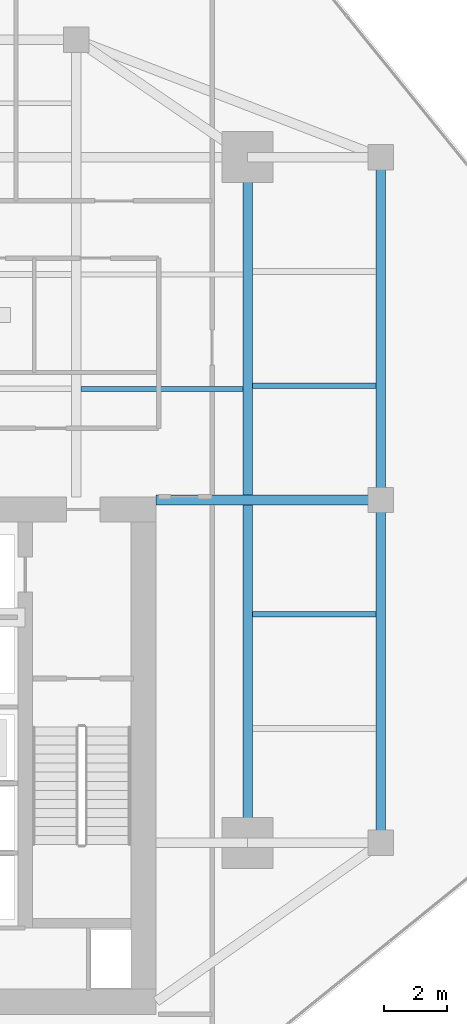
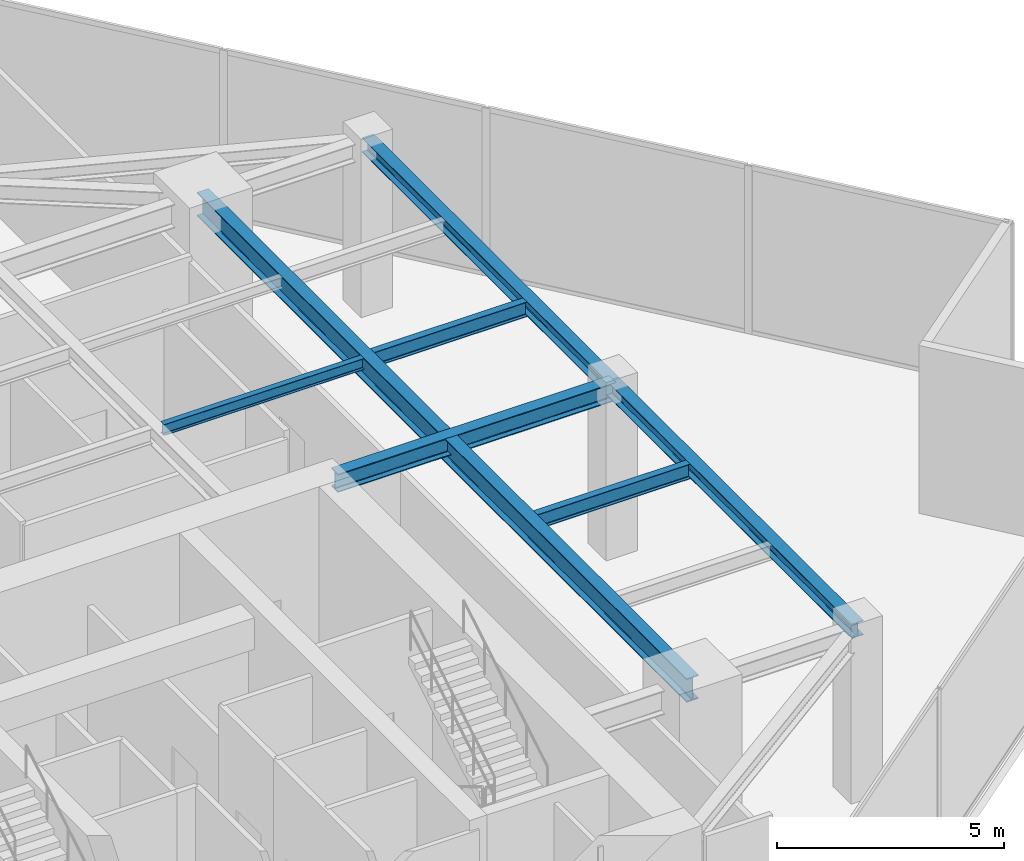
# One storey, part 9 of 22: 7 beams.
"""IFC4 building model written with IfcOpenShell, lengths in metres."""

from ifc_helpers import new_model, si_unit, direction, frame, origin, origin_2d, place, context, subcontext, project, spatial, i_section, extrude, source, transform, mapped, material, material_profile, profile_set, type_object, type_shapes, element, save


model = new_model("IFC4")

# Units and contexts
model_context = context("Model", 3, precision=1e-05, world=origin(), true_north=direction((0.0, 1.0)))
body_context = subcontext(model_context, "Body", "Model", "MODEL_VIEW")
ifc_project = project(units=[si_unit("LENGTHUNIT", "METRE"), si_unit("AREAUNIT", "SQUARE_METRE"), si_unit("VOLUMEUNIT", "CUBIC_METRE"), si_unit("PLANEANGLEUNIT", "RADIAN"), si_unit("MASSUNIT", "GRAM", prefix="KILO")], contexts=[model_context])

# Site, building, storey
site_placement = place(None, origin())
site = spatial("IfcSite", under=ifc_project, at=site_placement, CompositionType="ELEMENT")
building_placement = place(site_placement, origin())
building = spatial("IfcBuilding", under=site, at=building_placement, Name="Krantzveldt Concourse Tower", CompositionType="ELEMENT")
storey_placement = place(building_placement, frame((0.0, 0.0, 262.60009765625)))
storey = spatial("IfcBuildingStorey", under=building, at=storey_placement, Name="L64", CompositionType="ELEMENT", Elevation=262.60009765625)

# Beams
ifc_material = material(Name="Steel S355JR", Category="steel")
ifc_material_profile_1 = material_profile(ifc_material, i_section(OverallWidth=0.300048828125, OverallDepth=0.639892578125, WebThickness=0.013427734375, FlangeThickness=0.02587890625, FilletRadius=0.027099609375, at=origin_2d()), Name="Steel S355JR", Category="steel")
ifc_profile_set_1 = profile_set([ifc_material_profile_1], Name="Steel S355JR - HEA 650")
beam_type_1 = type_object("IfcBeamType", Name="BM-B-HEA650", PredefinedType="BEAM", material=ifc_profile_set_1)
shared_shape_1 = source(origin(), body_context, "Body", "SweptSolid", [
    extrude(i_section(OverallWidth=0.300048828125, OverallDepth=0.639892578125, WebThickness=0.013427734375, FlangeThickness=0.02587890625, FilletRadius=0.027099609375, at=origin_2d()), origin(), (0.0, 0.0, 1.0), 21.60009765625),
])
type_shapes(beam_type_1, [shared_shape_1])
beam_1_placement = place(storey_placement, frame((46.800048828125, 15.89990234375, 4.199951171875), z_axis=(0.0, 1.0, 0.0), x_axis=(-1.0, 0.0, 0.0)))
element("IfcBeam", 1, at=beam_1_placement, inside=storey, type_object=beam_type_1, Name="L64 Tower Girder BG-ME", PredefinedType="BEAM", context=body_context, shape_type="MappedRepresentation", body=[
    mapped(shared_shape_1, transform((0.0, 0.0, 0.0), x_axis=(1.0, 0.0, 0.0), y_axis=(0.0, 1.0, 0.0), z_axis=(0.0, 0.0, 1.0), scale=1.0)),
])
ifc_material_profile_2 = material_profile(ifc_material, i_section(OverallWidth=0.300048828125, OverallDepth=0.389892578125, WebThickness=0.010986328125, FlangeThickness=0.01904296875, FilletRadius=0.027099609375, at=origin_2d()), Name="Steel S355JR", Category="steel")
ifc_profile_set_2 = profile_set([ifc_material_profile_2], Name="Steel S355JR - HEA 400")
beam_type_2 = type_object("IfcBeamType", Name="BM-SP-HEA400", PredefinedType="SPANDREL", material=ifc_profile_set_2)
shared_shape_2 = source(origin(), body_context, "Body", "SweptSolid", [
    extrude(i_section(OverallWidth=0.300048828125, OverallDepth=0.389892578125, WebThickness=0.010986328125, FlangeThickness=0.01904296875, FilletRadius=0.027099609375, at=origin_2d()), origin(), (0.0, 0.0, 1.0), 10.800048828125),
])
type_shapes(beam_type_2, [shared_shape_2])
for number, where, z_axis, x_axis, name in (
    (2, (51.0, 37.5, 4.324951171875), (0.0, -1.0, 0.0), (1.0, 0.0, 0.0), "L64 Tower Girder SP-R06"),
    (3, (51.0, 26.699951171875, 4.324951171875), (0.0, -1.0, 0.0), (1.0, 0.0, 0.0), "L64 Tower Girder SP-R07"),
):
    element("IfcBeam", number, at=place(storey_placement, frame(where, z_axis=z_axis, x_axis=x_axis)), inside=storey, type_object=beam_type_2, Name=name, PredefinedType="SPANDREL", context=body_context, shape_type="MappedRepresentation", body=[
        mapped(shared_shape_2, transform((0.0, 0.0, 0.0), x_axis=(1.0, 0.0, 0.0), y_axis=(0.0, 1.0, 0.0), z_axis=(0.0, 0.0, 1.0), scale=1.0)),
    ])
ifc_material_profile_3 = material_profile(ifc_material, i_section(OverallWidth=0.300048828125, OverallDepth=0.489990234375, WebThickness=0.011962890625, FlangeThickness=0.02294921875, FilletRadius=0.027099609375, at=origin_2d()), Name="Steel S355JR", Category="steel")
ifc_profile_set_3 = profile_set([ifc_material_profile_3], Name="Steel S355JR - HEA 500")
beam_type_3 = type_object("IfcBeamType", Name="BM-B-HEA500", PredefinedType="BEAM", material=ifc_profile_set_3)
shared_shape_3 = source(origin(), body_context, "Body", "SweptSolid", [
    extrude(i_section(OverallWidth=0.300048828125, OverallDepth=0.489990234375, WebThickness=0.011962890625, FlangeThickness=0.02294921875, FilletRadius=0.027099609375, at=origin_2d()), origin(), (0.0, 0.0, 1.0), 7.080078125),
])
type_shapes(beam_type_3, [shared_shape_3])
beam_2_placement = place(storey_placement, frame((43.919921875, 26.699951171875, 4.27490234375), z_axis=(1.0, 0.0, 0.0), x_axis=(0.0, 1.0, 0.0)))
element("IfcBeam", 4, at=beam_2_placement, inside=storey, type_object=beam_type_3, Name="L64 Tower Girder BG-CE2", PredefinedType="BEAM", context=body_context, shape_type="MappedRepresentation", body=[
    mapped(shared_shape_3, transform((0.0, 0.0, 0.0), x_axis=(1.0, 0.0, 0.0), y_axis=(0.0, 1.0, 0.0), z_axis=(0.0, 0.0, 1.0), scale=1.0)),
])
ifc_material_profile_4 = material_profile(ifc_material, i_section(OverallWidth=0.14990234375, OverallDepth=0.300048828125, WebThickness=0.007080078125, FlangeThickness=0.0107421875, FilletRadius=0.014892578125, at=origin_2d()), Name="Steel S355JR", Category="steel")
ifc_profile_set_4 = profile_set([ifc_material_profile_4], Name="Steel S355JR - IPE 300")
beam_type_4 = type_object("IfcBeamType", Name="BM-J-IPE300", PredefinedType="JOIST", material=ifc_profile_set_4)
shared_shape_4 = source(origin(), body_context, "Body", "SweptSolid", [
    extrude(i_section(OverallWidth=0.14990234375, OverallDepth=0.300048828125, WebThickness=0.007080078125, FlangeThickness=0.0107421875, FilletRadius=0.014892578125, at=origin_2d()), origin(), (0.0, 0.0, 1.0), 5.099853515625),
])
type_shapes(beam_type_4, [shared_shape_4])
beam_3_placement = place(storey_placement, frame((41.550048828125, 30.199951171875, 4.369873046875), z_axis=(1.0, 0.0, 0.0), x_axis=(0.0, 1.0, 0.0)))
element("IfcBeam", 5, at=beam_3_placement, inside=storey, type_object=beam_type_4, Name="L64 Secondary Floor Joist JN-E1", PredefinedType="JOIST", context=body_context, shape_type="MappedRepresentation", body=[
    mapped(shared_shape_4, transform((0.0, 0.0, 0.0), x_axis=(1.0, 0.0, 0.0), y_axis=(0.0, 1.0, 0.0), z_axis=(0.0, 0.0, 1.0), scale=1.0)),
])
ifc_material_profile_5 = material_profile(ifc_material, i_section(OverallWidth=0.179931640625, OverallDepth=0.39990234375, WebThickness=0.008544921875, FlangeThickness=0.013427734375, FilletRadius=0.02099609375, at=origin_2d()), Name="Steel S355JR", Category="steel")
ifc_profile_set_5 = profile_set([ifc_material_profile_5], Name="Steel S355JR - IPE 400")
beam_type_5 = type_object("IfcBeamType", Name="BM-J-IPE400", PredefinedType="JOIST", material=ifc_profile_set_5)
shared_shape_5 = source(origin(), body_context, "Body", "SweptSolid", [
    extrude(i_section(OverallWidth=0.179931640625, OverallDepth=0.39990234375, WebThickness=0.008544921875, FlangeThickness=0.013427734375, FilletRadius=0.02099609375, at=origin_2d()), origin(), (0.0, 0.0, 1.0), 3.900146484375),
])
type_shapes(beam_type_5, [shared_shape_5])
for number, where, z_axis, x_axis, name in (
    (6, (46.949951171875, 23.10009765625, 4.31982421875), (1.0, 0.0, 0.0), (0.0, 1.0, 0.0), "L64 Secondary Floor Joist JE-2"),
    (7, (46.949951171875, 30.300048828125, 4.31982421875), (1.0, 0.0, 0.0), (0.0, 1.0, 0.0), "L64 Secondary Floor Joist JE-3"),
):
    element("IfcBeam", number, at=place(storey_placement, frame(where, z_axis=z_axis, x_axis=x_axis)), inside=storey, type_object=beam_type_5, Name=name, PredefinedType="JOIST", context=body_context, shape_type="MappedRepresentation", body=[
        mapped(shared_shape_5, transform((0.0, 0.0, 0.0), x_axis=(1.0, 0.0, 0.0), y_axis=(0.0, 1.0, 0.0), z_axis=(0.0, 0.0, 1.0), scale=1.0)),
    ])

save(model, "model.ifc")
